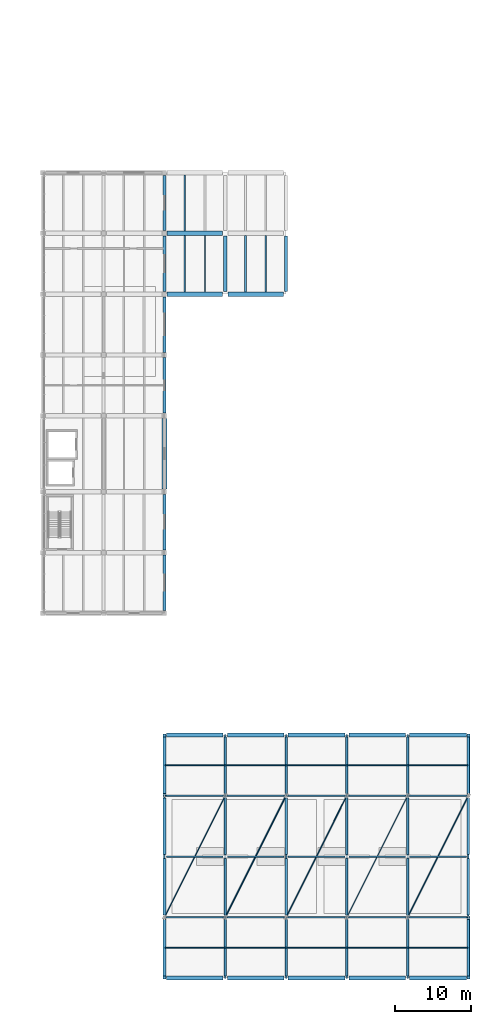
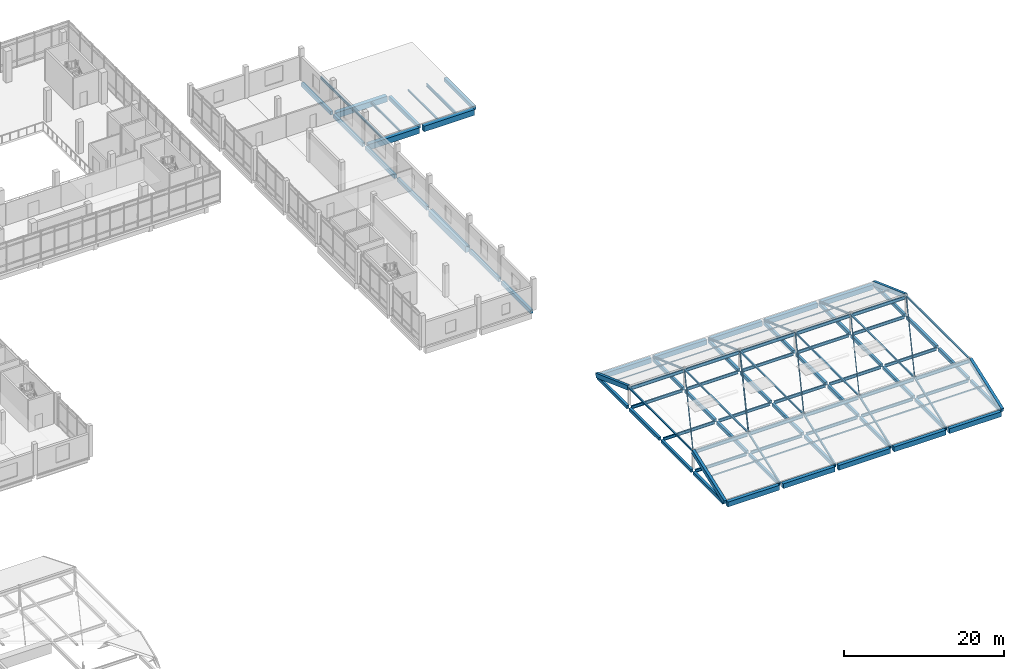
# One storey, part 24 of 47: 76 beams, 33 members.
"""IFC4 building model written with IfcOpenShell, lengths in metres."""

from ifc_helpers import new_model, si_unit, direction, frame, origin, origin_2d, place, context, subcontext, project, spatial, rectangle, hollow_rectangle, hollow_circle, i_section, extrude, material, material_profile, profile_set, type_object, element, save


model = new_model("IFC4")

# Units and contexts
model_context = context("Model", 3, precision=1e-05, world=origin(), true_north=direction((0.0, 1.0)))
body_context = subcontext(model_context, "Body", "Model", "MODEL_VIEW")
ifc_project = project(units=[si_unit("LENGTHUNIT", "METRE"), si_unit("AREAUNIT", "SQUARE_METRE"), si_unit("VOLUMEUNIT", "CUBIC_METRE"), si_unit("PLANEANGLEUNIT", "RADIAN"), si_unit("MASSUNIT", "GRAM", prefix="KILO")], contexts=[model_context])

# Site, building, storey
site_placement = place(None, origin())
site = spatial("IfcSite", under=ifc_project, at=site_placement, CompositionType="ELEMENT")
building_placement = place(site_placement, origin())
building = spatial("IfcBuilding", under=site, at=building_placement, Name="Pecanmere Concourse Central Library", CompositionType="ELEMENT")
storey_placement = place(building_placement, frame((0.0, 0.0, 15.300048828125)))
storey = spatial("IfcBuildingStorey", under=building, at=storey_placement, Name="L04", CompositionType="ELEMENT", Elevation=15.300048828125)

# Beams
ifc_material_1 = material(Name="Concrete C40/50", Category="concrete")
ifc_material_profile_1 = material_profile(ifc_material_1, rectangle(XDim=0.340087890625, YDim=0.47998046875, at=origin_2d()), Name="RC 340x480")
ifc_profile_set_1 = profile_set([ifc_material_profile_1], Name="Concrete C40/50")
beam_type_1 = type_object("IfcBeamType", Name="BM_340x480", PredefinedType="BEAM", material=ifc_profile_set_1)
for number, where, z_axis, x_axis, name in (
    (1, (128.0, 0.27490234375, -0.56005859375), (0.0, 1.0, 0.0), (-1.0, 0.0, 0.0), "Primary Girder Y L04-2303"),
    (2, (128.0, 8.27490234375, -0.56005859375), (0.0, 1.0, 0.0), (-1.0, 0.0, 0.0), "Primary Girder Y L04-2304"),
    (3, (128.0, 16.27490234375, -0.56005859375), (0.0, 1.0, 0.0), (-1.0, 0.0, 0.0), "Primary Girder Y L04-2305"),
    (4, (128.0, 24.27490234375, -0.56005859375), (0.0, 1.0, 0.0), (-1.0, 0.0, 0.0), "Primary Girder Y L04-2306"),
    (5, (136.0, 0.27490234375, -0.56005859375), (0.0, 1.0, 0.0), (-1.0, 0.0, 0.0), "Primary Girder Y L04-2314"),
    (6, (136.0, 8.27490234375, -0.56005859375), (0.0, 1.0, 0.0), (-1.0, 0.0, 0.0), "Primary Girder Y L04-2315"),
    (7, (136.0, 16.27490234375, -0.56005859375), (0.0, 1.0, 0.0), (-1.0, 0.0, 0.0), "Primary Girder Y L04-2316"),
    (8, (136.0, 24.27490234375, -0.56005859375), (0.0, 1.0, 0.0), (-1.0, 0.0, 0.0), "Primary Girder Y L04-2317"),
    (9, (144.0, 0.27490234375, -0.56005859375), (0.0, 1.0, 0.0), (-1.0, 0.0, 0.0), "Primary Girder Y L04-2320"),
    (10, (144.0, 8.27490234375, -0.56005859375), (0.0, 1.0, 0.0), (-1.0, 0.0, 0.0), "Primary Girder Y L04-2321"),
    (11, (144.0, 16.27490234375, -0.56005859375), (0.0, 1.0, 0.0), (-1.0, 0.0, 0.0), "Primary Girder Y L04-2322"),
    (12, (144.0, 24.27490234375, -0.56005859375), (0.0, 1.0, 0.0), (-1.0, 0.0, 0.0), "Primary Girder Y L04-2323"),
    (13, (152.0, 0.27490234375, -0.56005859375), (0.0, 1.0, 0.0), (-1.0, 0.0, 0.0), "Primary Girder Y L04-2326"),
    (14, (152.0, 8.27490234375, -0.56005859375), (0.0, 1.0, 0.0), (-1.0, 0.0, 0.0), "Primary Girder Y L04-2327"),
    (15, (152.0, 16.27490234375, -0.56005859375), (0.0, 1.0, 0.0), (-1.0, 0.0, 0.0), "Primary Girder Y L04-2328"),
    (16, (152.0, 24.27490234375, -0.56005859375), (0.0, 1.0, 0.0), (-1.0, 0.0, 0.0), "Primary Girder Y L04-2329"),
    (17, (160.0, 0.27490234375, -0.56005859375), (0.0, 1.0, 0.0), (-1.0, 0.0, 0.0), "Primary Girder Y L04-2330"),
    (18, (160.0, 8.27490234375, -0.56005859375), (0.0, 1.0, 0.0), (-1.0, 0.0, 0.0), "Primary Girder Y L04-2331"),
    (19, (160.0, 16.27490234375, -0.56005859375), (0.0, 1.0, 0.0), (-1.0, 0.0, 0.0), "Primary Girder Y L04-2332"),
    (20, (160.0, 24.27490234375, -0.56005859375), (0.0, 1.0, 0.0), (-1.0, 0.0, 0.0), "Primary Girder Y L04-2333"),
    (21, (168.0, 0.27490234375, -0.56005859375), (0.0, 1.0, 0.0), (-1.0, 0.0, 0.0), "Primary Girder Y L04-2334"),
    (22, (168.0, 8.27490234375, -0.56005859375), (0.0, 1.0, 0.0), (-1.0, 0.0, 0.0), "Primary Girder Y L04-2335"),
    (23, (168.0, 16.27490234375, -0.56005859375), (0.0, 1.0, 0.0), (-1.0, 0.0, 0.0), "Primary Girder Y L04-2336"),
    (24, (168.0, 24.27490234375, -0.56005859375), (0.0, 1.0, 0.0), (-1.0, 0.0, 0.0), "Primary Girder Y L04-2337"),
):
    element("IfcBeam", number, at=place(storey_placement, frame(where, z_axis=z_axis, x_axis=x_axis)), inside=storey, type_object=beam_type_1, Name=name, PredefinedType="BEAM", context=body_context, shape_type="SweptSolid", body=[
        extrude(rectangle(XDim=0.340087890625, YDim=0.47998046875, at=origin_2d()), origin(), (0.0, 0.0, 1.0), 7.4501953125),
    ])
ifc_material_2 = material(Name="Concrete C40/50", Category="concrete")
ifc_material_profile_2 = material_profile(ifc_material_2, rectangle(XDim=0.39990234375, YDim=0.56005859375, at=origin_2d()), Name="RC 400x560")
ifc_profile_set_2 = profile_set([ifc_material_profile_2], Name="Concrete C40/50")
beam_type_2 = type_object("IfcBeamType", Name="BM_400x560", PredefinedType="BEAM", material=ifc_profile_set_2)
for number, where, z_axis, x_axis, name in (
    (25, (128.0, 48.35009765625, -0.60009765625), (0.0, 1.0, 0.0), (-1.0, 0.0, 0.0), "Primary Girder Y L04-2307"),
    (26, (128.0, 56.35009765625, -0.60009765625), (0.0, 1.0, 0.0), (-1.0, 0.0, 0.0), "Primary Girder Y L04-2308"),
    (27, (128.0, 74.35009765625, -0.60009765625), (0.0, 1.0, 0.0), (-1.0, 0.0, 0.0), "Primary Girder Y L04-2310"),
    (28, (128.0, 82.35009765625, -0.60009765625), (0.0, 1.0, 0.0), (-1.0, 0.0, 0.0), "Primary Girder Y L04-2311"),
    (29, (128.0, 90.35009765625, -0.60009765625), (0.0, 1.0, 0.0), (-1.0, 0.0, 0.0), "Primary Girder Y L04-2312"),
    (30, (128.0, 98.35009765625, -0.60009765625), (0.0, 1.0, 0.0), (-1.0, 0.0, 0.0), "Primary Girder Y L04-2313"),
    (31, (136.0, 90.35009765625, -0.60009765625), (0.0, 1.0, 0.0), (-1.0, 0.0, 0.0), "Primary Girder Y L04-2318"),
    (32, (144.0, 90.35009765625, -0.60009765625), (0.0, 1.0, 0.0), (-1.0, 0.0, 0.0), "Primary Girder Y L04-2324"),
):
    element("IfcBeam", number, at=place(storey_placement, frame(where, z_axis=z_axis, x_axis=x_axis)), inside=storey, type_object=beam_type_2, Name=name, PredefinedType="BEAM", context=body_context, shape_type="SweptSolid", body=[
        extrude(rectangle(XDim=0.39990234375, YDim=0.56005859375, at=origin_2d()), origin(), (0.0, 0.0, 1.0), 7.2998046875),
    ])
ifc_material_3 = material(Name="Concrete C40/50", Category="concrete")
ifc_material_profile_3 = material_profile(ifc_material_3, rectangle(XDim=0.5, YDim=0.739990234375, at=origin_2d()), Name="RC 500x740")
ifc_profile_set_3 = profile_set([ifc_material_profile_3], Name="Concrete C40/50")
beam_type_3 = type_object("IfcBeamType", Name="GRD_500x740", PredefinedType="USERDEFINED", material=ifc_profile_set_3)
for number, where, z_axis, x_axis, name in (
    (33, (128.27490234375, 0.0, -0.68994140625), (1.0, 0.0, 0.0), (0.0, 1.0, 0.0), "Primary Girder X L04-2113"),
    (34, (136.27490234375, 0.0, -0.68994140625), (1.0, 0.0, 0.0), (0.0, 1.0, 0.0), "Primary Girder X L04-2114"),
    (35, (144.27490234375, 0.0, -0.68994140625), (1.0, 0.0, 0.0), (0.0, 1.0, 0.0), "Primary Girder X L04-2115"),
    (36, (152.27490234375, 0.0, -0.68994140625), (1.0, 0.0, 0.0), (0.0, 1.0, 0.0), "Primary Girder X L04-2116"),
    (37, (160.27490234375, 0.0, -0.68994140625), (1.0, 0.0, 0.0), (0.0, 1.0, 0.0), "Primary Girder X L04-2117"),
    (38, (128.27490234375, 32.0, -0.68994140625), (1.0, 0.0, 0.0), (0.0, 1.0, 0.0), "Primary Girder X L04-2154"),
    (39, (136.27490234375, 32.0, -0.68994140625), (1.0, 0.0, 0.0), (0.0, 1.0, 0.0), "Primary Girder X L04-2155"),
    (40, (144.27490234375, 32.0, -0.68994140625), (1.0, 0.0, 0.0), (0.0, 1.0, 0.0), "Primary Girder X L04-2156"),
    (41, (152.27490234375, 32.0, -0.68994140625), (1.0, 0.0, 0.0), (0.0, 1.0, 0.0), "Primary Girder X L04-2157"),
    (42, (160.27490234375, 32.0, -0.68994140625), (1.0, 0.0, 0.0), (0.0, 1.0, 0.0), "Primary Girder X L04-2158"),
):
    element("IfcBeam", number, at=place(storey_placement, frame(where, z_axis=z_axis, x_axis=x_axis)), inside=storey, type_object=beam_type_3, Name=name, ObjectType="GIRDER", PredefinedType="USERDEFINED", context=body_context, shape_type="SweptSolid", body=[
        extrude(rectangle(XDim=0.5, YDim=0.739990234375, at=origin_2d()), origin(), (0.0, 0.0, 1.0), 7.4501953125),
    ])
ifc_material_4 = material(Name="Concrete C40/50", Category="concrete")
ifc_material_profile_4 = material_profile(ifc_material_4, rectangle(XDim=0.580078125, YDim=0.860107421875, at=origin_2d()), Name="RC 580x860")
ifc_profile_set_4 = profile_set([ifc_material_profile_4], Name="Concrete C40/50")
beam_type_4 = type_object("IfcBeamType", Name="GRD_580x860", PredefinedType="USERDEFINED", material=ifc_profile_set_4)
for number, where, z_axis, x_axis, name in (
    (43, (128.35009765625, 90.0, -0.75), (1.0, 0.0, 0.0), (0.0, 1.0, 0.0), "Primary Girder X L04-2189"),
    (44, (136.35009765625, 90.0, -0.75), (1.0, 0.0, 0.0), (0.0, 1.0, 0.0), "Primary Girder X L04-2190"),
    (45, (128.35009765625, 98.0, -0.75), (1.0, 0.0, 0.0), (0.0, 1.0, 0.0), "Primary Girder X L04-2201"),
):
    element("IfcBeam", number, at=place(storey_placement, frame(where, z_axis=z_axis, x_axis=x_axis)), inside=storey, type_object=beam_type_4, Name=name, ObjectType="GIRDER", PredefinedType="USERDEFINED", context=body_context, shape_type="SweptSolid", body=[
        extrude(rectangle(XDim=0.580078125, YDim=0.860107421875, at=origin_2d()), origin(), (0.0, 0.0, 1.0), 7.2998046875),
    ])
ifc_material_5 = material(Name="Concrete C40/50", Category="concrete")
ifc_material_profile_5 = material_profile(ifc_material_5, rectangle(XDim=0.6201171875, YDim=0.919921875, at=origin_2d()), Name="RC 620x920")
ifc_profile_set_5 = profile_set([ifc_material_profile_5], Name="Concrete C40/50")
beam_type_5 = type_object("IfcBeamType", Name="GRD_620x920", PredefinedType="USERDEFINED", material=ifc_profile_set_5)
beam_1_placement = place(storey_placement, frame((128.0, 64.35009765625, -0.780029296875), z_axis=(0.0, 1.0, 0.0), x_axis=(-1.0, 0.0, 0.0)))
element("IfcBeam", 46, at=beam_1_placement, inside=storey, type_object=beam_type_5, Name="Primary Girder Y L04-2309", ObjectType="GIRDER", PredefinedType="USERDEFINED", context=body_context, shape_type="SweptSolid", body=[
    extrude(rectangle(XDim=0.6201171875, YDim=0.919921875, at=origin_2d()), origin(), (0.0, 0.0, 1.0), 9.2998046875),
])

# Members
ifc_material_6 = material(Name="Structural steel ASTM A500 Grade C", Category="steel")
ifc_material_profile_6 = material_profile(ifc_material_6, hollow_circle(Radius=0.109619140625, WallThickness=0.009521484375, at=origin_2d()), Name="HSS219.1x9.5")
ifc_profile_set_6 = profile_set([ifc_material_profile_6], Name="Structural steel ASTM A500 Grade C")
member_type_1 = type_object("IfcMemberType", Name="MEM_BRACE_3", PredefinedType="BRACE", material=ifc_profile_set_6)
member_1_placement = place(storey_placement, frame((136.0, 8.0, 2.568359375), z_axis=(0.4472135955, 0.894427191, 0.0), x_axis=(-0.894427191, 0.4472135955, 0.0)))
element("IfcMember", 47, at=member_1_placement, inside=storey, type_object=member_type_1, Name="Pavilion Roof Wind Brace 073", PredefinedType="BRACE", context=body_context, shape_type="SweptSolid", body=[
    extrude(hollow_circle(Radius=0.109619140625, WallThickness=0.009521484375, at=origin_2d()), origin(), (0.0, 0.0, 1.0), 17.888427734375),
])
ifc_material_7 = material(Name="Structural steel ASTM A500 Grade C", Category="steel")
ifc_material_profile_7 = material_profile(ifc_material_7, hollow_circle(Radius=0.083984375, WallThickness=0.008056640625, at=origin_2d()), Name="HSS168.3x8.0")
ifc_profile_set_7 = profile_set([ifc_material_profile_7], Name="Structural steel ASTM A500 Grade C")
member_type_2 = type_object("IfcMemberType", Name="MEM_BRACE_4", PredefinedType="BRACE", material=ifc_profile_set_7)
for number, where, z_axis, x_axis, name in (
    (48, (128.0, 8.0, 2.568359375), (0.4472135955, 0.894427191, 0.0), (-0.894427191, 0.4472135955, 0.0), "Pavilion Roof Wind Brace 070"),
    (49, (160.0, 8.0, 2.568359375), (0.4472135955, 0.894427191, 0.0), (-0.894427191, 0.4472135955, 0.0), "Pavilion Roof Wind Brace 082"),
):
    element("IfcMember", number, at=place(storey_placement, frame(where, z_axis=z_axis, x_axis=x_axis)), inside=storey, type_object=member_type_2, Name=name, PredefinedType="BRACE", context=body_context, shape_type="SweptSolid", body=[
        extrude(hollow_circle(Radius=0.083984375, WallThickness=0.008056640625, at=origin_2d()), origin(), (0.0, 0.0, 1.0), 17.888427734375),
    ])
ifc_material_8 = material(Name="Structural steel ASTM A500 Grade C", Category="steel")
ifc_material_profile_8 = material_profile(ifc_material_8, hollow_circle(Radius=0.070556640625, WallThickness=0.008056640625, at=origin_2d()), Name="HSS141.3x8.0")
ifc_profile_set_8 = profile_set([ifc_material_profile_8], Name="Structural steel ASTM A500 Grade C")
member_type_3 = type_object("IfcMemberType", Name="MEM_BRACE_5", PredefinedType="BRACE", material=ifc_profile_set_8)
member_2_placement = place(storey_placement, frame((152.0, 8.0, 2.568359375), z_axis=(0.4472135955, 0.894427191, 0.0), x_axis=(-0.894427191, 0.4472135955, 0.0)))
element("IfcMember", 50, at=member_2_placement, inside=storey, type_object=member_type_3, Name="Pavilion Roof Wind Brace 079", PredefinedType="BRACE", context=body_context, shape_type="SweptSolid", body=[
    extrude(hollow_circle(Radius=0.070556640625, WallThickness=0.008056640625, at=origin_2d()), origin(), (0.0, 0.0, 1.0), 17.888427734375),
])
ifc_material_9 = material(Name="Structural steel ASTM A500 Grade C", Category="steel")
ifc_material_profile_9 = material_profile(ifc_material_9, hollow_circle(Radius=0.056884765625, WallThickness=0.00634765625, at=origin_2d()), Name="HSS114.3x6.4")
ifc_profile_set_9 = profile_set([ifc_material_profile_9], Name="Structural steel ASTM A500 Grade C")
member_type_4 = type_object("IfcMemberType", Name="MEM_BRACE_6", PredefinedType="BRACE", material=ifc_profile_set_9)
member_3_placement = place(storey_placement, frame((144.0, 8.0, 2.568359375), z_axis=(0.4472135955, 0.894427191, 0.0), x_axis=(-0.894427191, 0.4472135955, 0.0)))
element("IfcMember", 51, at=member_3_placement, inside=storey, type_object=member_type_4, Name="Pavilion Roof Wind Brace 076", PredefinedType="BRACE", context=body_context, shape_type="SweptSolid", body=[
    extrude(hollow_circle(Radius=0.056884765625, WallThickness=0.00634765625, at=origin_2d()), origin(), (0.0, 0.0, 1.0), 17.888427734375),
])
ifc_material_10 = material(Name="Structural steel ASTM A500 Grade C", Category="steel")
ifc_material_profile_10 = material_profile(ifc_material_10, hollow_rectangle(XDim=0.202880859375, YDim=0.202880859375, WallThickness=0.009521484375, at=origin_2d()), Name="HSS203x203x9.5")
ifc_profile_set_10 = profile_set([ifc_material_profile_10], Name="Structural steel ASTM A500 Grade C")
member_type_5 = type_object("IfcMemberType", Name="MEM_CHORD_2", PredefinedType="CHORD", material=ifc_profile_set_10)
for number, where, z_axis, x_axis, name in (
    (52, (128.0, 8.0, 2.568359375), (0.0, 1.0, 0.0), (-1.0, 0.0, 0.0), "Pavilion Truss Top Chord 062"),
    (53, (136.0, 8.0, 2.568359375), (0.0, 1.0, 0.0), (-1.0, 0.0, 0.0), "Pavilion Truss Top Chord 063"),
    (54, (144.0, 8.0, 2.568359375), (0.0, 1.0, 0.0), (-1.0, 0.0, 0.0), "Pavilion Truss Top Chord 064"),
    (55, (152.0, 8.0, 2.568359375), (0.0, 1.0, 0.0), (-1.0, 0.0, 0.0), "Pavilion Truss Top Chord 065"),
    (56, (160.0, 8.0, 2.568359375), (0.0, 1.0, 0.0), (-1.0, 0.0, 0.0), "Pavilion Truss Top Chord 066"),
    (57, (168.0, 8.0, 2.568359375), (0.0, 1.0, 0.0), (-1.0, 0.0, 0.0), "Pavilion Truss Top Chord 067"),
):
    element("IfcMember", number, at=place(storey_placement, frame(where, z_axis=z_axis, x_axis=x_axis)), inside=storey, type_object=member_type_5, Name=name, PredefinedType="CHORD", context=body_context, shape_type="SweptSolid", body=[
        extrude(hollow_rectangle(XDim=0.202880859375, YDim=0.202880859375, WallThickness=0.009521484375, at=origin_2d()), origin(), (0.0, 0.0, 1.0), 16.0),
    ])
ifc_material_11 = material(Name="Structural steel ASTM A500 Grade C", Category="steel")
ifc_material_profile_11 = material_profile(ifc_material_11, hollow_rectangle(XDim=0.10205078125, YDim=0.202880859375, WallThickness=0.008056640625, at=origin_2d()), Name="HSS203x102x8.0")
ifc_profile_set_11 = profile_set([ifc_material_profile_11], Name="Structural steel ASTM A500 Grade C")
member_type_6 = type_object("IfcMemberType", Name="MEM_PURLIN_2", PredefinedType="PURLIN", material=ifc_profile_set_11)
member_4_placement = place(storey_placement, frame((128.1201171875, 4.0, 1.1123046875), z_axis=(1.0, 0.0, 0.0), x_axis=(0.0, 1.0, 0.0)))
element("IfcMember", 58, at=member_4_placement, inside=storey, type_object=member_type_6, Name="Pavilion Roof Purlin 068", PredefinedType="PURLIN", context=body_context, shape_type="SweptSolid", body=[
    extrude(hollow_rectangle(XDim=0.10205078125, YDim=0.202880859375, WallThickness=0.008056640625, at=origin_2d()), origin(), (0.0, 0.0, 1.0), 7.8798828125),
])
for number, where, z_axis, x_axis, name in (
    (59, (136.0, 4.0, 1.1123046875), (1.0, 0.0, 0.0), (0.0, 1.0, 0.0), "Pavilion Roof Purlin 071"),
    (60, (144.0, 4.0, 1.1123046875), (1.0, 0.0, 0.0), (0.0, 1.0, 0.0), "Pavilion Roof Purlin 074"),
    (61, (152.0, 4.0, 1.1123046875), (1.0, 0.0, 0.0), (0.0, 1.0, 0.0), "Pavilion Roof Purlin 077"),
):
    element("IfcMember", number, at=place(storey_placement, frame(where, z_axis=z_axis, x_axis=x_axis)), inside=storey, type_object=member_type_6, Name=name, PredefinedType="PURLIN", context=body_context, shape_type="SweptSolid", body=[
        extrude(hollow_rectangle(XDim=0.10205078125, YDim=0.202880859375, WallThickness=0.008056640625, at=origin_2d()), origin(), (0.0, 0.0, 1.0), 8.0),
    ])
member_5_placement = place(storey_placement, frame((160.0, 4.0, 1.1123046875), z_axis=(1.0, 0.0, 0.0), x_axis=(0.0, 1.0, 0.0)))
element("IfcMember", 62, at=member_5_placement, inside=storey, type_object=member_type_6, Name="Pavilion Roof Purlin 080", PredefinedType="PURLIN", context=body_context, shape_type="SweptSolid", body=[
    extrude(hollow_rectangle(XDim=0.10205078125, YDim=0.202880859375, WallThickness=0.008056640625, at=origin_2d()), origin(), (0.0, 0.0, 1.0), 7.8798828125),
])
ifc_material_12 = material(Name="Structural steel ASTM A500 Grade C", Category="steel")
ifc_material_profile_12 = material_profile(ifc_material_12, hollow_rectangle(XDim=0.10205078125, YDim=0.152099609375, WallThickness=0.00634765625, at=origin_2d()), Name="HSS152x102x6.4")
ifc_profile_set_12 = profile_set([ifc_material_profile_12], Name="Structural steel ASTM A500 Grade C")
member_type_7 = type_object("IfcMemberType", Name="MEM_PURLIN_3", PredefinedType="PURLIN", material=ifc_profile_set_12)
member_6_placement = place(storey_placement, frame((128.1201171875, 28.0, 1.1123046875), z_axis=(1.0, 0.0, 0.0), x_axis=(0.0, 1.0, 0.0)))
element("IfcMember", 63, at=member_6_placement, inside=storey, type_object=member_type_7, Name="Pavilion Roof Purlin 069", PredefinedType="PURLIN", context=body_context, shape_type="SweptSolid", body=[
    extrude(hollow_rectangle(XDim=0.10205078125, YDim=0.152099609375, WallThickness=0.00634765625, at=origin_2d()), origin(), (0.0, 0.0, 1.0), 7.8798828125),
])
for number, where, z_axis, x_axis, name in (
    (64, (136.0, 28.0, 1.1123046875), (1.0, 0.0, 0.0), (0.0, 1.0, 0.0), "Pavilion Roof Purlin 072"),
    (65, (144.0, 28.0, 1.1123046875), (1.0, 0.0, 0.0), (0.0, 1.0, 0.0), "Pavilion Roof Purlin 075"),
    (66, (152.0, 28.0, 1.1123046875), (1.0, 0.0, 0.0), (0.0, 1.0, 0.0), "Pavilion Roof Purlin 078"),
):
    element("IfcMember", number, at=place(storey_placement, frame(where, z_axis=z_axis, x_axis=x_axis)), inside=storey, type_object=member_type_7, Name=name, PredefinedType="PURLIN", context=body_context, shape_type="SweptSolid", body=[
        extrude(hollow_rectangle(XDim=0.10205078125, YDim=0.152099609375, WallThickness=0.00634765625, at=origin_2d()), origin(), (0.0, 0.0, 1.0), 8.0),
    ])
member_7_placement = place(storey_placement, frame((160.0, 28.0, 1.1123046875), z_axis=(1.0, 0.0, 0.0), x_axis=(0.0, 1.0, 0.0)))
element("IfcMember", 67, at=member_7_placement, inside=storey, type_object=member_type_7, Name="Pavilion Roof Purlin 081", PredefinedType="PURLIN", context=body_context, shape_type="SweptSolid", body=[
    extrude(hollow_rectangle(XDim=0.10205078125, YDim=0.152099609375, WallThickness=0.00634765625, at=origin_2d()), origin(), (0.0, 0.0, 1.0), 7.8798828125),
])
ifc_material_13 = material(Name="Structural steel ASTM A992 Grade 50", Category="steel")
ifc_material_profile_13 = material_profile(ifc_material_13, i_section(OverallWidth=0.201904296875, OverallDepth=0.2470703125, WebThickness=0.00732421875, FlangeThickness=0.010986328125, at=origin_2d()), Name="W250x49.1")
ifc_profile_set_13 = profile_set([ifc_material_profile_13], Name="Structural steel ASTM A992 Grade 50")
member_type_8 = type_object("IfcMemberType", Name="MEM_RAFTER_2", PredefinedType="RAFTER", material=ifc_profile_set_13)
for number, where, z_axis, x_axis, name in (
    (68, (136.0, 0.0, -0.343505859375), (0.0, 0.939688718745, 0.342030863906), (-1.0, 0.0, 0.0), "Pavilion Roof Rafter S-063"),
    (69, (136.0, 32.0, -0.343505859375), (0.0, -0.939688718745, 0.342030863906), (1.0, 0.0, 0.0), "Pavilion Roof Rafter N-063"),
    (70, (144.0, 0.0, -0.343505859375), (0.0, 0.939688718745, 0.342030863906), (-1.0, 0.0, 0.0), "Pavilion Roof Rafter S-064"),
    (71, (144.0, 32.0, -0.343505859375), (0.0, -0.939688718745, 0.342030863906), (1.0, 0.0, 0.0), "Pavilion Roof Rafter N-064"),
    (72, (152.0, 0.0, -0.343505859375), (0.0, 0.939688718745, 0.342030863906), (-1.0, 0.0, 0.0), "Pavilion Roof Rafter S-065"),
    (73, (152.0, 32.0, -0.343505859375), (0.0, -0.939688718745, 0.342030863906), (1.0, 0.0, 0.0), "Pavilion Roof Rafter N-065"),
    (74, (160.0, 0.0, -0.343505859375), (0.0, 0.939688718745, 0.342030863906), (-1.0, 0.0, 0.0), "Pavilion Roof Rafter S-066"),
    (75, (160.0, 32.0, -0.343505859375), (0.0, -0.939688718745, 0.342030863906), (1.0, 0.0, 0.0), "Pavilion Roof Rafter N-066"),
):
    element("IfcMember", number, at=place(storey_placement, frame(where, z_axis=z_axis, x_axis=x_axis)), inside=storey, type_object=member_type_8, Name=name, PredefinedType="RAFTER", context=body_context, shape_type="SweptSolid", body=[
        extrude(i_section(OverallWidth=0.201904296875, OverallDepth=0.2470703125, WebThickness=0.00732421875, FlangeThickness=0.010986328125, at=origin_2d()), origin(), (0.0, 0.0, 1.0), 8.513427734375),
    ])
ifc_material_14 = material(Name="Concrete C40/50", Category="concrete")
ifc_material_profile_14 = material_profile(ifc_material_14, rectangle(XDim=0.39990234375, YDim=0.659912109375, at=origin_2d()), Name="RC 400x660")
ifc_profile_set_14 = profile_set([ifc_material_profile_14], Name="Concrete C40/50")
member_type_9 = type_object("IfcMemberType", Name="MEM_VERGE_RAKER", PredefinedType="RAFTER", material=ifc_profile_set_14)
for number, where, z_axis, x_axis, name in (
    (76, (128.0, 0.0, -0.343505859375), (0.0, 0.939688718745, 0.342030863906), (-1.0, 0.0, 0.0), "Pavilion Gable Verge Raker S-062"),
    (77, (128.0, 32.0, -0.343505859375), (0.0, -0.939688718745, 0.342030863906), (1.0, 0.0, 0.0), "Pavilion Gable Verge Raker N-062"),
    (78, (168.0, 0.0, -0.343505859375), (0.0, 0.939688718745, 0.342030863906), (-1.0, 0.0, 0.0), "Pavilion Gable Verge Raker S-067"),
    (79, (168.0, 32.0, -0.343505859375), (0.0, -0.939688718745, 0.342030863906), (1.0, 0.0, 0.0), "Pavilion Gable Verge Raker N-067"),
):
    element("IfcMember", number, at=place(storey_placement, frame(where, z_axis=z_axis, x_axis=x_axis)), inside=storey, type_object=member_type_9, Name=name, PredefinedType="RAFTER", context=body_context, shape_type="SweptSolid", body=[
        extrude(rectangle(XDim=0.39990234375, YDim=0.659912109375, at=origin_2d()), origin(), (0.0, 0.0, 1.0), 8.513427734375),
    ])

# Beams
ifc_material_15 = material(Name="Structural steel ASTM A992 Grade 50", Category="steel")
ifc_material_profile_15 = material_profile(ifc_material_15, i_section(OverallWidth=0.2041015625, OverallDepth=0.2060546875, WebThickness=0.0078125, FlangeThickness=0.0126953125, at=origin_2d()), Name="W200x52")
ifc_profile_set_15 = profile_set([ifc_material_profile_15], Name="Structural steel ASTM A992 Grade 50")
beam_type_6 = type_object("IfcBeamType", Name="SBM_W200x52", PredefinedType="JOIST", material=ifc_profile_set_15)
beam_2_placement = place(storey_placement, frame((138.666748046875, 90.2900390625, -0.423095703125), z_axis=(0.0, 1.0, 0.0), x_axis=(-1.0, 0.0, 0.0)))
element("IfcBeam", 80, at=beam_2_placement, inside=storey, type_object=beam_type_6, Name="Secondary Floor Joist L04-2430", PredefinedType="JOIST", context=body_context, shape_type="SweptSolid", body=[
    extrude(i_section(OverallWidth=0.2041015625, OverallDepth=0.2060546875, WebThickness=0.0078125, FlangeThickness=0.0126953125, at=origin_2d()), origin(), (0.0, 0.0, 1.0), 7.419921875),
])
ifc_material_16 = material(Name="Structural steel ASTM A992 Grade 50", Category="steel")
ifc_material_profile_16 = material_profile(ifc_material_16, i_section(OverallWidth=0.1669921875, OverallDepth=0.31689453125, WebThickness=0.007568359375, FlangeThickness=0.01318359375, at=origin_2d()), Name="W310x52")
ifc_profile_set_16 = profile_set([ifc_material_profile_16], Name="Structural steel ASTM A992 Grade 50")
beam_type_7 = type_object("IfcBeamType", Name="SBM_W310x52", PredefinedType="JOIST", material=ifc_profile_set_16)
beam_3_placement = place(storey_placement, frame((133.333251953125, 90.2900390625, -0.478515625), z_axis=(0.0, 1.0, 0.0), x_axis=(-1.0, 0.0, 0.0)))
element("IfcBeam", 81, at=beam_3_placement, inside=storey, type_object=beam_type_7, Name="Secondary Floor Joist L04-2427", PredefinedType="JOIST", context=body_context, shape_type="SweptSolid", body=[
    extrude(i_section(OverallWidth=0.1669921875, OverallDepth=0.31689453125, WebThickness=0.007568359375, FlangeThickness=0.01318359375, at=origin_2d()), origin(), (0.0, 0.0, 1.0), 7.419921875),
])
ifc_material_17 = material(Name="Structural steel ASTM A992 Grade 50", Category="steel")
ifc_material_profile_17 = material_profile(ifc_material_17, i_section(OverallWidth=0.202880859375, OverallDepth=0.346923828125, WebThickness=0.0078125, FlangeThickness=0.013427734375, at=origin_2d()), Name="W360x64")
ifc_profile_set_17 = profile_set([ifc_material_profile_17], Name="Structural steel ASTM A992 Grade 50")
beam_type_8 = type_object("IfcBeamType", Name="SBM_W360x64", PredefinedType="JOIST", material=ifc_profile_set_17)
beam_4_placement = place(storey_placement, frame((130.666748046875, 90.2900390625, -0.49365234375), z_axis=(0.0, 1.0, 0.0), x_axis=(-1.0, 0.0, 0.0)))
element("IfcBeam", 82, at=beam_4_placement, inside=storey, type_object=beam_type_8, Name="Secondary Floor Joist L04-2426", PredefinedType="JOIST", context=body_context, shape_type="SweptSolid", body=[
    extrude(i_section(OverallWidth=0.202880859375, OverallDepth=0.346923828125, WebThickness=0.0078125, FlangeThickness=0.013427734375, at=origin_2d()), origin(), (0.0, 0.0, 1.0), 7.419921875),
])
ifc_material_18 = material(Name="Structural steel ASTM A992 Grade 50", Category="steel")
ifc_material_profile_18 = material_profile(ifc_material_18, i_section(OverallWidth=0.180908203125, OverallDepth=0.4169921875, WebThickness=0.010986328125, FlangeThickness=0.018310546875, at=origin_2d()), Name="W410x85")
ifc_profile_set_18 = profile_set([ifc_material_profile_18], Name="Structural steel ASTM A992 Grade 50")
beam_type_9 = type_object("IfcBeamType", Name="SBM_W410x85", PredefinedType="BEAM", material=ifc_profile_set_18)
beam_5_placement = place(storey_placement, frame((130.666748046875, 98.2900390625, -0.528564453125), z_axis=(0.0, 1.0, 0.0), x_axis=(-1.0, 0.0, 0.0)))
element("IfcBeam", 83, at=beam_5_placement, inside=storey, type_object=beam_type_9, Name="Secondary Floor Joist L04-2428", PredefinedType="BEAM", context=body_context, shape_type="SweptSolid", body=[
    extrude(i_section(OverallWidth=0.180908203125, OverallDepth=0.4169921875, WebThickness=0.010986328125, FlangeThickness=0.018310546875, at=origin_2d()), origin(), (0.0, 0.0, 1.0), 7.419921875),
])
ifc_material_19 = material(Name="Structural steel ASTM A992 Grade 50", Category="steel")
ifc_material_profile_19 = material_profile(ifc_material_19, i_section(OverallWidth=0.194091796875, OverallDepth=0.468994140625, WebThickness=0.0126953125, FlangeThickness=0.0205078125, at=origin_2d()), Name="W460x106")
ifc_profile_set_19 = profile_set([ifc_material_profile_19], Name="Structural steel ASTM A992 Grade 50")
beam_type_10 = type_object("IfcBeamType", Name="SBM_W460x106", PredefinedType="USERDEFINED", material=ifc_profile_set_19)
for number, where, z_axis, x_axis, name in (
    (84, (128.27490234375, 8.0, -0.554443359375), (1.0, 0.0, 0.0), (0.0, 1.0, 0.0), "Primary Girder X L04-2124"),
    (85, (136.27490234375, 8.0, -0.554443359375), (1.0, 0.0, 0.0), (0.0, 1.0, 0.0), "Primary Girder X L04-2125"),
    (86, (144.27490234375, 8.0, -0.554443359375), (1.0, 0.0, 0.0), (0.0, 1.0, 0.0), "Primary Girder X L04-2126"),
    (87, (152.27490234375, 8.0, -0.554443359375), (1.0, 0.0, 0.0), (0.0, 1.0, 0.0), "Primary Girder X L04-2127"),
    (88, (160.27490234375, 8.0, -0.554443359375), (1.0, 0.0, 0.0), (0.0, 1.0, 0.0), "Primary Girder X L04-2128"),
    (89, (128.27490234375, 16.0, -0.554443359375), (1.0, 0.0, 0.0), (0.0, 1.0, 0.0), "Primary Girder X L04-2132"),
    (90, (136.27490234375, 16.0, -0.554443359375), (1.0, 0.0, 0.0), (0.0, 1.0, 0.0), "Primary Girder X L04-2133"),
    (91, (144.27490234375, 16.0, -0.554443359375), (1.0, 0.0, 0.0), (0.0, 1.0, 0.0), "Primary Girder X L04-2134"),
    (92, (152.27490234375, 16.0, -0.554443359375), (1.0, 0.0, 0.0), (0.0, 1.0, 0.0), "Primary Girder X L04-2135"),
    (93, (160.27490234375, 16.0, -0.554443359375), (1.0, 0.0, 0.0), (0.0, 1.0, 0.0), "Primary Girder X L04-2136"),
    (94, (128.27490234375, 24.0, -0.554443359375), (1.0, 0.0, 0.0), (0.0, 1.0, 0.0), "Primary Girder X L04-2143"),
    (95, (136.27490234375, 24.0, -0.554443359375), (1.0, 0.0, 0.0), (0.0, 1.0, 0.0), "Primary Girder X L04-2144"),
    (96, (144.27490234375, 24.0, -0.554443359375), (1.0, 0.0, 0.0), (0.0, 1.0, 0.0), "Primary Girder X L04-2145"),
    (97, (152.27490234375, 24.0, -0.554443359375), (1.0, 0.0, 0.0), (0.0, 1.0, 0.0), "Primary Girder X L04-2146"),
    (98, (160.27490234375, 24.0, -0.554443359375), (1.0, 0.0, 0.0), (0.0, 1.0, 0.0), "Primary Girder X L04-2147"),
):
    element("IfcBeam", number, at=place(storey_placement, frame(where, z_axis=z_axis, x_axis=x_axis)), inside=storey, type_object=beam_type_10, Name=name, ObjectType="GIRDER", PredefinedType="USERDEFINED", context=body_context, shape_type="SweptSolid", body=[
        extrude(i_section(OverallWidth=0.194091796875, OverallDepth=0.468994140625, WebThickness=0.0126953125, FlangeThickness=0.0205078125, at=origin_2d()), origin(), (0.0, 0.0, 1.0), 7.4501953125),
    ])
ifc_material_20 = material(Name="Structural steel ASTM A992 Grade 50", Category="steel")
ifc_material_profile_20 = material_profile(ifc_material_20, i_section(OverallWidth=0.18994140625, OverallDepth=0.45703125, WebThickness=0.009033203125, FlangeThickness=0.014404296875, at=origin_2d()), Name="W460x74")
ifc_profile_set_20 = profile_set([ifc_material_profile_20], Name="Structural steel ASTM A992 Grade 50")
beam_type_11 = type_object("IfcBeamType", Name="SBM_W460x74", PredefinedType="BEAM", material=ifc_profile_set_20)
beam_6_placement = place(storey_placement, frame((141.333251953125, 90.2900390625, -0.548583984375), z_axis=(0.0, 1.0, 0.0), x_axis=(-1.0, 0.0, 0.0)))
element("IfcBeam", 99, at=beam_6_placement, inside=storey, type_object=beam_type_11, Name="Secondary Floor Joist L04-2431", PredefinedType="BEAM", context=body_context, shape_type="SweptSolid", body=[
    extrude(i_section(OverallWidth=0.18994140625, OverallDepth=0.45703125, WebThickness=0.009033203125, FlangeThickness=0.014404296875, at=origin_2d()), origin(), (0.0, 0.0, 1.0), 7.419921875),
])
ifc_material_21 = material(Name="Structural steel ASTM A992 Grade 50", Category="steel")
ifc_material_profile_21 = material_profile(ifc_material_21, i_section(OverallWidth=0.2109375, OverallDepth=0.5390625, WebThickness=0.01171875, FlangeThickness=0.018798828125, at=origin_2d()), Name="W530x109")
ifc_profile_set_21 = profile_set([ifc_material_profile_21], Name="Structural steel ASTM A992 Grade 50")
beam_type_12 = type_object("IfcBeamType", Name="SBM_W530x109", PredefinedType="USERDEFINED", material=ifc_profile_set_21)
for number, where, z_axis, x_axis, name in (
    (100, (128.1201171875, 8.0, 2.411865234375), (1.0, 0.0, 0.0), (0.0, 1.0, 0.0), "Pavilion Ridge Monitor Girder 052"),
    (101, (136.1201171875, 8.0, 2.411865234375), (1.0, 0.0, 0.0), (0.0, 1.0, 0.0), "Pavilion Ridge Monitor Girder 053"),
    (102, (144.1201171875, 8.0, 2.411865234375), (1.0, 0.0, 0.0), (0.0, 1.0, 0.0), "Pavilion Ridge Monitor Girder 054"),
    (103, (152.1201171875, 8.0, 2.411865234375), (1.0, 0.0, 0.0), (0.0, 1.0, 0.0), "Pavilion Ridge Monitor Girder 055"),
    (104, (160.1201171875, 8.0, 2.411865234375), (1.0, 0.0, 0.0), (0.0, 1.0, 0.0), "Pavilion Ridge Monitor Girder 056"),
    (105, (128.1201171875, 24.0, 2.411865234375), (1.0, 0.0, 0.0), (0.0, 1.0, 0.0), "Pavilion Ridge Monitor Girder 057"),
    (106, (136.1201171875, 24.0, 2.411865234375), (1.0, 0.0, 0.0), (0.0, 1.0, 0.0), "Pavilion Ridge Monitor Girder 058"),
    (107, (144.1201171875, 24.0, 2.411865234375), (1.0, 0.0, 0.0), (0.0, 1.0, 0.0), "Pavilion Ridge Monitor Girder 059"),
    (108, (152.1201171875, 24.0, 2.411865234375), (1.0, 0.0, 0.0), (0.0, 1.0, 0.0), "Pavilion Ridge Monitor Girder 060"),
    (109, (160.1201171875, 24.0, 2.411865234375), (1.0, 0.0, 0.0), (0.0, 1.0, 0.0), "Pavilion Ridge Monitor Girder 061"),
):
    element("IfcBeam", number, at=place(storey_placement, frame(where, z_axis=z_axis, x_axis=x_axis)), inside=storey, type_object=beam_type_12, Name=name, ObjectType="GIRDER", PredefinedType="USERDEFINED", context=body_context, shape_type="SweptSolid", body=[
        extrude(i_section(OverallWidth=0.2109375, OverallDepth=0.5390625, WebThickness=0.01171875, FlangeThickness=0.018798828125, at=origin_2d()), origin(), (0.0, 0.0, 1.0), 7.759765625),
    ])

save(model, "model.ifc")
